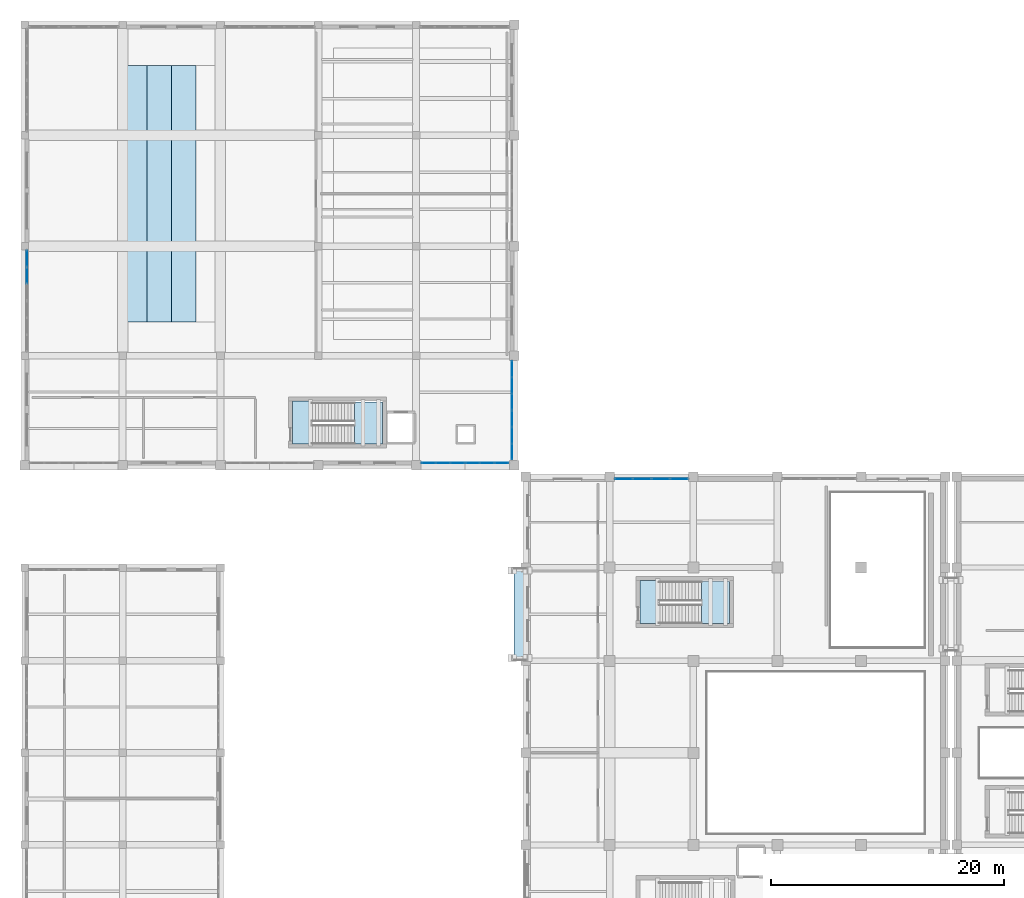
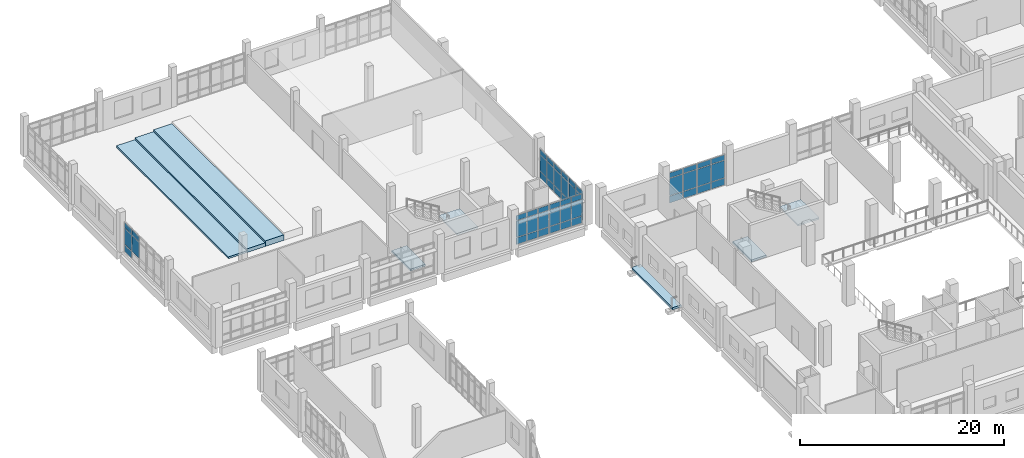
# One storey, part 55 of 90: 53 plates, 8 slabs, 9 elements without a shape of their own.
"""IFC4 building model written with IfcOpenShell, lengths in metres."""

import ifcopenshell
import ifcopenshell.guid

model = None  # the IFC model being written
_history = None  # IfcOwnerHistory: only IFC2X3 demands one
_inside = {}  # id of a spatial element -> (the spatial element, [elements in it])
_under = {}  # id of a project, library or spatial element -> (it, [spatial elements below it])
_declared = {}  # id of a project -> (the project, [libraries it declares])
_typed = {}  # id of a type object -> (the type object, [elements of that type])
_made_of = {}  # id of a material, layer set ... -> (it, [elements and type objects made of it])


def new_model(schema):
    """Start an empty IFC model of exactly this schema.

    Asked for "IFC4X3", IfcOpenShell would pick the latest addendum, in which some entities
    have other attributes; the version numbers below select the first issue.
    IFC2X3 requires an IfcOwnerHistory on every rooted entity: one is made here for all.
    """
    global model, _history
    if schema == "IFC4X3":
        model = ifcopenshell.file(schema_version=(4, 3, 0, 0))
    else:
        model = ifcopenshell.file(schema=schema)
    _inside.clear()
    _under.clear()
    _declared.clear()
    _typed.clear()
    _made_of.clear()
    _history = None
    if model.schema == "IFC2X3":
        org = make("IfcOrganization", Name="unknown")
        user = make(
            "IfcPersonAndOrganization",
            ThePerson=make("IfcPerson", FamilyName="unknown"),
            TheOrganization=org,
        )
        app = make(
            "IfcApplication",
            ApplicationDeveloper=org,
            Version="unknown",
            ApplicationFullName="unknown",
            ApplicationIdentifier="unknown",
        )
        _history = make(
            "IfcOwnerHistory",
            OwningUser=user,
            OwningApplication=app,
            ChangeAction="ADDED",
            CreationDate=0,
        )
    return model


def make(cls, **values):
    """One entity of the class cls with the attributes given. An attribute that is None is left unset."""
    return model.create_entity(
        cls, **{name: value for name, value in values.items() if value is not None}
    )


def rooted(cls, **values):
    """An entity with a GlobalId (a new one), such as an element, a storey or a relation."""
    return make(cls, GlobalId=ifcopenshell.guid.new(), OwnerHistory=_history, **values)


def si_unit(unit_type, name, prefix=None):
    """IfcSIUnit, for example si_unit("LENGTHUNIT", "METRE", prefix="MILLI")."""
    return make("IfcSIUnit", UnitType=unit_type, Prefix=prefix, Name=name)


def assignment(units):
    """IfcUnitAssignment: the units of a project."""
    return None if units is None else make("IfcUnitAssignment", Units=units)


def point(xyz):
    """IfcCartesianPoint."""
    return None if xyz is None else make("IfcCartesianPoint", Coordinates=xyz)


def direction(xyz):
    """IfcDirection."""
    return None if xyz is None else make("IfcDirection", DirectionRatios=xyz)


def frame(location, z_axis=None, x_axis=None):
    """IfcAxis2Placement3D, a coordinate frame: its origin and axes. An axis left out is left unset."""
    return make(
        "IfcAxis2Placement3D",
        Location=point(location),
        Axis=direction(z_axis),
        RefDirection=direction(x_axis),
    )


def frame_2d(location, x_axis=None):
    """IfcAxis2Placement2D, a coordinate frame in the plane: its origin and x axis."""
    return make(
        "IfcAxis2Placement2D", Location=point(location), RefDirection=direction(x_axis)
    )


def origin():
    """The frame at (0, 0, 0) with its axes left unset."""
    return frame((0.0, 0.0, 0.0))


def origin_2d():
    """The frame at (0, 0) in the plane with its x axis left unset."""
    return frame_2d((0.0, 0.0))


def place(relative_to, where):
    """IfcLocalPlacement: puts the frame where relative to a parent placement (None: the world)."""
    return make(
        "IfcLocalPlacement", PlacementRelTo=relative_to, RelativePlacement=where
    )


def context(
    kind, dimensions, precision=None, world=None, true_north=None, identifier=None
):
    """IfcGeometricRepresentationContext, for example the 3D "Model" context."""
    return make(
        "IfcGeometricRepresentationContext",
        ContextIdentifier=identifier,
        ContextType=kind,
        CoordinateSpaceDimension=dimensions,
        Precision=precision,
        WorldCoordinateSystem=world,
        TrueNorth=true_north,
    )


def subcontext(parent, identifier, kind, view, scale=None):
    """IfcGeometricRepresentationSubContext, for example "Body" below "Model"."""
    return make(
        "IfcGeometricRepresentationSubContext",
        ContextIdentifier=identifier,
        ContextType=kind,
        ParentContext=parent,
        TargetScale=scale,
        TargetView=view,
    )


def project(units=None, contexts=None):
    """IfcProject with its units and contexts."""
    return rooted(
        "IfcProject",
        Name="project",
        RepresentationContexts=contexts,
        UnitsInContext=assignment(units),
    )


def spatial(cls, under=None, at=None, **own):
    """A site, building, storey or space (cls), placed at a placement, below another one or the project."""
    s = rooted(cls, ObjectPlacement=at, **own)
    if under is not None:
        _under.setdefault(under.id(), (under, []))[1].append(s)
    return s


def polyline(points):
    """IfcPolyline through the points."""
    return make("IfcPolyline", Points=[point(p) for p in points])


def profile(cls, at=None, kind="AREA", **sizes):
    """A parametric profile (cls). Its sizes go by their IFC names, for example OverallWidth=200.0."""
    return make(cls, ProfileType=kind, Position=at, **sizes)


def rectangle(**sizes):
    """IfcRectangleProfileDef."""
    return profile("IfcRectangleProfileDef", **sizes)


def outline(outer, holes=None, kind="AREA"):
    """IfcArbitraryClosedProfileDef: a profile drawn as a closed curve; with holes, ...WithVoids."""
    if holes is None:
        return make("IfcArbitraryClosedProfileDef", ProfileType=kind, OuterCurve=outer)
    return make(
        "IfcArbitraryProfileDefWithVoids",
        ProfileType=kind,
        OuterCurve=outer,
        InnerCurves=holes,
    )


def extrude(swept, where, along, depth):
    """IfcExtrudedAreaSolid: the profile swept, set in the frame where, extruded along a direction by depth."""
    return make(
        "IfcExtrudedAreaSolid",
        SweptArea=swept,
        Position=where,
        ExtrudedDirection=direction(along),
        Depth=depth,
    )


def shape(context_of_items, identifier, shape_type, items):
    """IfcShapeRepresentation: the items that make up one representation, for example the "Body"."""
    return make(
        "IfcShapeRepresentation",
        ContextOfItems=context_of_items,
        RepresentationIdentifier=identifier,
        RepresentationType=shape_type,
        Items=items,
    )


def material(Name=None, Category=None):
    """IfcMaterial."""
    return make("IfcMaterial", Name=Name, Category=Category)


def layer(
    of_material, thickness, ventilated=None, Name=None, Category=None, Priority=None
):
    """IfcMaterialLayer: one layer of a wall or slab, of a material (None: an air gap)."""
    return make(
        "IfcMaterialLayer",
        Material=of_material,
        LayerThickness=thickness,
        IsVentilated=ventilated,
        Name=Name,
        Category=Category,
        Priority=Priority,
    )


def layer_set(layers, Name=None):
    """IfcMaterialLayerSet."""
    return make("IfcMaterialLayerSet", MaterialLayers=layers, LayerSetName=Name)


def made_of(thing, what):
    """Note that an element or type object is made of a material, layer set ...; save() writes the relation."""
    if what is not None:
        _made_of.setdefault(what.id(), (what, []))[1].append(thing)
    return thing


def type_object(cls, material=None, **own):
    """A type object (cls), such as IfcWallType, which elements share."""
    return made_of(rooted(cls, **own), material)


def element(
    cls,
    number,
    at=None,
    inside=None,
    cuts=None,
    type_object=None,
    material=None,
    context=None,
    identifier="Body",
    shape_type=None,
    held_by="IfcProductDefinitionShape",
    body=None,
    shapes=None,
    **own,
):
    """One element of the class cls, such as IfcWall. Its Tag is "e" and its number.

    at: its placement. inside: the storey or other place that contains it. cuts: it is an
    opening in that element (IfcRelVoidsElement). A single representation is given by context,
    identifier, shape_type and body (its items); several are given by shapes. held_by: the class
    of the entity that holds the representations. save() writes the other relations.
    """
    e = rooted(cls, Tag="e%d" % number, ObjectPlacement=at, **own)
    if body is not None:
        shapes = [shape(context, identifier, shape_type, body)]
    if shapes is not None:
        e.Representation = make(held_by, Representations=shapes)
    if inside is not None:
        _inside.setdefault(inside.id(), (inside, []))[1].append(e)
    if cuts is not None:
        rooted(
            "IfcRelVoidsElement", RelatingBuildingElement=cuts, RelatedOpeningElement=e
        )
    if type_object is not None:
        _typed.setdefault(type_object.id(), (type_object, []))[1].append(e)
    return made_of(e, material)


def aggregate(whole, parts):
    """IfcRelAggregates: a whole, such as a stair, and the parts it consists of."""
    return rooted("IfcRelAggregates", RelatingObject=whole, RelatedObjects=parts)


def save(model, path):
    """Write the relations noted so far, then the file.

    IfcRelAggregates (storeys below a building ...), IfcRelContainedInSpatialStructure (elements
    in a storey), IfcRelDefinesByType, IfcRelAssociatesMaterial and IfcRelDeclares: one each for
    every whole, place, type object, material and project.
    """
    for whole, parts in _under.values():
        aggregate(whole, parts)
    for where, things in _inside.values():
        rooted(
            "IfcRelContainedInSpatialStructure",
            RelatedElements=things,
            RelatingStructure=where,
        )
    for kind, things in _typed.values():
        rooted("IfcRelDefinesByType", RelatedObjects=things, RelatingType=kind)
    for what, things in _made_of.values():
        rooted("IfcRelAssociatesMaterial", RelatedObjects=things, RelatingMaterial=what)
    for by, libraries in _declared.values():
        rooted("IfcRelDeclares", RelatingContext=by, RelatedDefinitions=libraries)
    model.write(path)


model = new_model("IFC4")

# Units and contexts
model_context = context("Model", 3, precision=1e-05, world=origin(), true_north=direction((0.0, 1.0)))
body_context = subcontext(model_context, "Body", "Model", "MODEL_VIEW")
ifc_project = project(units=[si_unit("LENGTHUNIT", "METRE"), si_unit("AREAUNIT", "SQUARE_METRE"), si_unit("VOLUMEUNIT", "CUBIC_METRE"), si_unit("PLANEANGLEUNIT", "RADIAN"), si_unit("MASSUNIT", "GRAM", prefix="KILO")], contexts=[model_context])

# Site, building, storey
site_placement = place(None, origin())
site = spatial("IfcSite", under=ifc_project, at=site_placement, CompositionType="ELEMENT")
building_placement = place(site_placement, origin())
building = spatial("IfcBuilding", under=site, at=building_placement, Name="Kelarvand Opera House", CompositionType="ELEMENT")
storey_placement = place(building_placement, frame((0.0, 0.0, 5.39990234375)))
storey = spatial("IfcBuildingStorey", under=building, at=storey_placement, Name="L01", CompositionType="ELEMENT", Elevation=5.39990234375)

# Slabs
ifc_material_1 = material(Name="Concrete C35/45", Category="concrete")
ifc_layer_1 = layer(ifc_material_1, 0.219970703125, Name="Concrete C35/45", Category="concrete")
ifc_layer_set_1 = layer_set([ifc_layer_1], Name="Concrete C35/45")
slab_type_1 = type_object("IfcSlabType", Name="Core Stair Entry Landing Slab 220", PredefinedType="LANDING", material=ifc_layer_set_1)
slab_1_placement = place(storey_placement, frame((0.0, 0.0, -0.219970703125)))
element("IfcSlab", 1, at=slab_1_placement, inside=storey, type_object=slab_type_1, Name="C3 Stair Entry Landing L01", PredefinedType="LANDING", context=body_context, shape_type="SweptSolid", body=[
    extrude(outline(polyline([(61.800048828125, 73.60009765625), (63.52001953125, 73.60009765625), (63.52001953125, 77.300048828125), (61.800048828125, 77.300048828125), (61.800048828125, 73.60009765625)])), origin(), (0.0, 0.0, 1.0), 0.219970703125),
])
slab_2_placement = place(storey_placement, frame((0.0, 0.0, -0.219970703125)))
element("IfcSlab", 2, at=slab_2_placement, inside=storey, type_object=slab_type_1, Name="C5 Stair Entry Landing L01", PredefinedType="LANDING", context=body_context, shape_type="SweptSolid", body=[
    extrude(outline(polyline([(32.0, 89.0), (33.719970703125, 89.0), (33.719970703125, 92.699951171875), (32.0, 92.699951171875), (32.0, 89.0)])), origin(), (0.0, 0.0, 1.0), 0.219970703125),
])

# Curtain wall, plates
ifc_material_2 = material(Name="Thermally broken aluminium and low-E glazing", Category="aluminium")
ifc_layer_2 = layer(ifc_material_2, 0.179931640625, Name="Thermally broken aluminium and low-E glazing", Category="aluminium")
ifc_layer_set_2 = layer_set([ifc_layer_2], Name="Thermally broken aluminium and low-E glazing")
curtain_wall_type_1 = type_object("IfcCurtainWallType", Name="Unitised Low-E Curtain Wall 3176x3730 Mod 1350 CWF-10", PredefinedType="USERDEFINED", material=ifc_layer_set_2)
curtain_wall_1_placement = place(storey_placement, origin())
curtain_wall_1 = element("IfcCurtainWall", 3, at=curtain_wall_1_placement, inside=storey, type_object=curtain_wall_type_1, Name="V2 L01 Curtain Wall CWF-10 (31)", ObjectType="UNITISED CURTAIN WALL", PredefinedType="USERDEFINED")
ifc_material_3 = material(Name="Low-E laminated double glazing", Category="glass")
ifc_layer_3 = layer(ifc_material_3, 0.031982421875, Name="Low-E laminated double glazing", Category="glass")
ifc_layer_set_3 = layer_set([ifc_layer_3], Name="Low-E laminated double glazing")
plate_type = type_object("IfcPlateType", Name="Low-E Argon Double Glazed Curtain Panel 32mm", PredefinedType="CURTAIN_PANEL", material=ifc_layer_set_3)
plate_1_placement = place(storey_placement, frame((60.43017578125, 86.02001953125, 0.06494140625), z_axis=(0.0, 0.0, 1.0), x_axis=(1.0, 0.0, 0.0)))
plate_1 = element("IfcPlate", 4, at=plate_1_placement, type_object=plate_type, Name="CWF-10 panel 1.1", PredefinedType="CURTAIN_PANEL", context=body_context, shape_type="SweptSolid", body=[
    extrude(rectangle(XDim=1.490478515625, YDim=0.031982421875, at=origin_2d()), origin(), (0.0, 0.0, 1.0), 0.802490234375),
])
plate_2_placement = place(storey_placement, frame((60.43017578125, 86.02001953125, 0.9326171875), z_axis=(0.0, 0.0, 1.0), x_axis=(1.0, 0.0, 0.0)))
plate_2 = element("IfcPlate", 5, at=plate_2_placement, type_object=plate_type, Name="CWF-10 panel 1.2", PredefinedType="CURTAIN_PANEL", context=body_context, shape_type="SweptSolid", body=[
    extrude(rectangle(XDim=1.490478515625, YDim=0.031982421875, at=origin_2d()), origin(), (0.0, 0.0, 1.0), 2.06494140625),
])
plate_3_placement = place(storey_placement, frame((60.43017578125, 86.02001953125, 3.0625), z_axis=(0.0, 0.0, 1.0), x_axis=(1.0, 0.0, 0.0)))
plate_3 = element("IfcPlate", 6, at=plate_3_placement, type_object=plate_type, Name="CWF-10 panel 1.3", PredefinedType="CURTAIN_PANEL", context=body_context, shape_type="SweptSolid", body=[
    extrude(rectangle(XDim=1.490478515625, YDim=0.031982421875, at=origin_2d()), origin(), (0.0, 0.0, 1.0), 0.6025390625),
])
plate_4_placement = place(storey_placement, frame((61.98583984375, 86.02001953125, 0.06494140625), z_axis=(0.0, 0.0, 1.0), x_axis=(1.0, 0.0, 0.0)))
plate_4 = element("IfcPlate", 7, at=plate_4_placement, type_object=plate_type, Name="CWF-10 panel 2.1", PredefinedType="CURTAIN_PANEL", context=body_context, shape_type="SweptSolid", body=[
    extrude(rectangle(XDim=1.490478515625, YDim=0.031982421875, at=origin_2d()), origin(), (0.0, 0.0, 1.0), 0.802490234375),
])
plate_5_placement = place(storey_placement, frame((61.98583984375, 86.02001953125, 0.9326171875), z_axis=(0.0, 0.0, 1.0), x_axis=(1.0, 0.0, 0.0)))
plate_5 = element("IfcPlate", 8, at=plate_5_placement, type_object=plate_type, Name="CWF-10 panel 2.2", PredefinedType="CURTAIN_PANEL", context=body_context, shape_type="SweptSolid", body=[
    extrude(rectangle(XDim=1.490478515625, YDim=0.031982421875, at=origin_2d()), origin(), (0.0, 0.0, 1.0), 2.06494140625),
])
plate_6_placement = place(storey_placement, frame((61.98583984375, 86.02001953125, 3.0625), z_axis=(0.0, 0.0, 1.0), x_axis=(1.0, 0.0, 0.0)))
plate_6 = element("IfcPlate", 9, at=plate_6_placement, type_object=plate_type, Name="CWF-10 panel 2.3", PredefinedType="CURTAIN_PANEL", context=body_context, shape_type="SweptSolid", body=[
    extrude(rectangle(XDim=1.490478515625, YDim=0.031982421875, at=origin_2d()), origin(), (0.0, 0.0, 1.0), 0.6025390625),
])
aggregate(curtain_wall_1, [plate_1, plate_2, plate_3, plate_4, plate_5, plate_6])

curtain_wall_2_placement = place(storey_placement, origin())
curtain_wall_2 = element("IfcCurtainWall", 10, at=curtain_wall_2_placement, inside=storey, type_object=curtain_wall_type_1, Name="V2 L01 Curtain Wall CWF-10 (32)", ObjectType="UNITISED CURTAIN WALL", PredefinedType="USERDEFINED")
plate_7_placement = place(storey_placement, frame((63.611328125, 86.02001953125, 0.06494140625), z_axis=(0.0, 0.0, 1.0), x_axis=(1.0, 0.0, 0.0)))
plate_7 = element("IfcPlate", 11, at=plate_7_placement, type_object=plate_type, Name="CWF-10 panel 1.1", PredefinedType="CURTAIN_PANEL", context=body_context, shape_type="SweptSolid", body=[
    extrude(rectangle(XDim=1.492431640625, YDim=0.031982421875, at=origin_2d()), origin(), (0.0, 0.0, 1.0), 0.802490234375),
])
plate_8_placement = place(storey_placement, frame((63.611328125, 86.02001953125, 0.9326171875), z_axis=(0.0, 0.0, 1.0), x_axis=(1.0, 0.0, 0.0)))
plate_8 = element("IfcPlate", 12, at=plate_8_placement, type_object=plate_type, Name="CWF-10 panel 1.2", PredefinedType="CURTAIN_PANEL", context=body_context, shape_type="SweptSolid", body=[
    extrude(rectangle(XDim=1.492431640625, YDim=0.031982421875, at=origin_2d()), origin(), (0.0, 0.0, 1.0), 2.06494140625),
])
plate_9_placement = place(storey_placement, frame((63.611328125, 86.02001953125, 3.0625), z_axis=(0.0, 0.0, 1.0), x_axis=(1.0, 0.0, 0.0)))
plate_9 = element("IfcPlate", 13, at=plate_9_placement, type_object=plate_type, Name="CWF-10 panel 1.3", PredefinedType="CURTAIN_PANEL", context=body_context, shape_type="SweptSolid", body=[
    extrude(rectangle(XDim=1.492431640625, YDim=0.031982421875, at=origin_2d()), origin(), (0.0, 0.0, 1.0), 0.6025390625),
])
plate_10_placement = place(storey_placement, frame((65.168701171875, 86.02001953125, 0.06494140625), z_axis=(0.0, 0.0, 1.0), x_axis=(1.0, 0.0, 0.0)))
plate_10 = element("IfcPlate", 14, at=plate_10_placement, type_object=plate_type, Name="CWF-10 panel 2.1", PredefinedType="CURTAIN_PANEL", context=body_context, shape_type="SweptSolid", body=[
    extrude(rectangle(XDim=1.492431640625, YDim=0.031982421875, at=origin_2d()), origin(), (0.0, 0.0, 1.0), 0.802490234375),
])
plate_11_placement = place(storey_placement, frame((65.168701171875, 86.02001953125, 0.9326171875), z_axis=(0.0, 0.0, 1.0), x_axis=(1.0, 0.0, 0.0)))
plate_11 = element("IfcPlate", 15, at=plate_11_placement, type_object=plate_type, Name="CWF-10 panel 2.2", PredefinedType="CURTAIN_PANEL", context=body_context, shape_type="SweptSolid", body=[
    extrude(rectangle(XDim=1.492431640625, YDim=0.031982421875, at=origin_2d()), origin(), (0.0, 0.0, 1.0), 2.06494140625),
])
plate_12_placement = place(storey_placement, frame((65.168701171875, 86.02001953125, 3.0625), z_axis=(0.0, 0.0, 1.0), x_axis=(1.0, 0.0, 0.0)))
plate_12 = element("IfcPlate", 16, at=plate_12_placement, type_object=plate_type, Name="CWF-10 panel 2.3", PredefinedType="CURTAIN_PANEL", context=body_context, shape_type="SweptSolid", body=[
    extrude(rectangle(XDim=1.492431640625, YDim=0.031982421875, at=origin_2d()), origin(), (0.0, 0.0, 1.0), 0.6025390625),
])
aggregate(curtain_wall_2, [plate_7, plate_8, plate_9, plate_10, plate_11, plate_12])

ifc_layer_4 = layer(ifc_material_2, 0.179931640625, Name="Thermally broken aluminium and low-E glazing", Category="aluminium")
ifc_layer_set_4 = layer_set([ifc_layer_4], Name="Thermally broken aluminium and low-E glazing")
curtain_wall_type_2 = type_object("IfcCurtainWallType", Name="Unitised Low-E Curtain Wall 4276x3600 Mod 1350 CWF-16", PredefinedType="USERDEFINED", material=ifc_layer_set_4)
curtain_wall_3_placement = place(storey_placement, origin())
curtain_wall_3 = element("IfcCurtainWall", 17, at=curtain_wall_3_placement, inside=storey, type_object=curtain_wall_type_2, Name="V3 L01 Curtain Wall CWF-16 (49)", ObjectType="UNITISED CURTAIN WALL", PredefinedType="USERDEFINED")
plate_13_placement = place(storey_placement, frame((50.820068359375, 95.451171875, 0.06494140625), z_axis=(0.0, 0.0, 1.0), x_axis=(0.0, -1.0, 0.0)))
plate_13 = element("IfcPlate", 18, at=plate_13_placement, type_object=plate_type, Name="CWF-16 panel 1.1", PredefinedType="CURTAIN_PANEL", context=body_context, shape_type="SweptSolid", body=[
    extrude(rectangle(XDim=1.327880859375, YDim=0.031982421875, at=origin_2d()), origin(), (0.0, 0.0, 1.0), 0.802490234375),
])
plate_14_placement = place(storey_placement, frame((50.820068359375, 95.451171875, 0.9326171875), z_axis=(0.0, 0.0, 1.0), x_axis=(0.0, -1.0, 0.0)))
plate_14 = element("IfcPlate", 19, at=plate_14_placement, type_object=plate_type, Name="CWF-16 panel 1.2", PredefinedType="CURTAIN_PANEL", context=body_context, shape_type="SweptSolid", body=[
    extrude(rectangle(XDim=1.327880859375, YDim=0.031982421875, at=origin_2d()), origin(), (0.0, 0.0, 1.0), 1.93505859375),
])
plate_15_placement = place(storey_placement, frame((50.820068359375, 95.451171875, 2.9326171875), z_axis=(0.0, 0.0, 1.0), x_axis=(0.0, -1.0, 0.0)))
plate_15 = element("IfcPlate", 20, at=plate_15_placement, type_object=plate_type, Name="CWF-16 panel 1.3", PredefinedType="CURTAIN_PANEL", context=body_context, shape_type="SweptSolid", body=[
    extrude(rectangle(XDim=1.327880859375, YDim=0.031982421875, at=origin_2d()), origin(), (0.0, 0.0, 1.0), 0.6025390625),
])
plate_16_placement = place(storey_placement, frame((50.820068359375, 94.0419921875, 0.06494140625), z_axis=(0.0, 0.0, 1.0), x_axis=(0.0, -1.0, 0.0)))
plate_16 = element("IfcPlate", 21, at=plate_16_placement, type_object=plate_type, Name="CWF-16 panel 2.1", PredefinedType="CURTAIN_PANEL", context=body_context, shape_type="SweptSolid", body=[
    extrude(rectangle(XDim=1.3603515625, YDim=0.031982421875, at=origin_2d()), origin(), (0.0, 0.0, 1.0), 0.802490234375),
])
plate_17_placement = place(storey_placement, frame((50.820068359375, 94.0419921875, 0.9326171875), z_axis=(0.0, 0.0, 1.0), x_axis=(0.0, -1.0, 0.0)))
plate_17 = element("IfcPlate", 22, at=plate_17_placement, type_object=plate_type, Name="CWF-16 panel 2.2", PredefinedType="CURTAIN_PANEL", context=body_context, shape_type="SweptSolid", body=[
    extrude(rectangle(XDim=1.3603515625, YDim=0.031982421875, at=origin_2d()), origin(), (0.0, 0.0, 1.0), 1.93505859375),
])
plate_18_placement = place(storey_placement, frame((50.820068359375, 94.0419921875, 2.9326171875), z_axis=(0.0, 0.0, 1.0), x_axis=(0.0, -1.0, 0.0)))
plate_18 = element("IfcPlate", 23, at=plate_18_placement, type_object=plate_type, Name="CWF-16 panel 2.3", PredefinedType="CURTAIN_PANEL", context=body_context, shape_type="SweptSolid", body=[
    extrude(rectangle(XDim=1.3603515625, YDim=0.031982421875, at=origin_2d()), origin(), (0.0, 0.0, 1.0), 0.6025390625),
])
plate_19_placement = place(storey_placement, frame((50.820068359375, 92.6328125, 0.06494140625), z_axis=(0.0, 0.0, 1.0), x_axis=(0.0, -1.0, 0.0)))
plate_19 = element("IfcPlate", 24, at=plate_19_placement, type_object=plate_type, Name="CWF-16 panel 3.1", PredefinedType="CURTAIN_PANEL", context=body_context, shape_type="SweptSolid", body=[
    extrude(rectangle(XDim=1.327880859375, YDim=0.031982421875, at=origin_2d()), origin(), (0.0, 0.0, 1.0), 0.802490234375),
])
plate_20_placement = place(storey_placement, frame((50.820068359375, 92.6328125, 0.9326171875), z_axis=(0.0, 0.0, 1.0), x_axis=(0.0, -1.0, 0.0)))
plate_20 = element("IfcPlate", 25, at=plate_20_placement, type_object=plate_type, Name="CWF-16 panel 3.2", PredefinedType="CURTAIN_PANEL", context=body_context, shape_type="SweptSolid", body=[
    extrude(rectangle(XDim=1.327880859375, YDim=0.031982421875, at=origin_2d()), origin(), (0.0, 0.0, 1.0), 1.93505859375),
])
plate_21_placement = place(storey_placement, frame((50.820068359375, 92.6328125, 2.9326171875), z_axis=(0.0, 0.0, 1.0), x_axis=(0.0, -1.0, 0.0)))
plate_21 = element("IfcPlate", 26, at=plate_21_placement, type_object=plate_type, Name="CWF-16 panel 3.3", PredefinedType="CURTAIN_PANEL", context=body_context, shape_type="SweptSolid", body=[
    extrude(rectangle(XDim=1.327880859375, YDim=0.031982421875, at=origin_2d()), origin(), (0.0, 0.0, 1.0), 0.6025390625),
])
aggregate(curtain_wall_3, [plate_13, plate_14, plate_15, plate_16, plate_17, plate_18, plate_19, plate_20, plate_21])

curtain_wall_4_placement = place(storey_placement, origin())
curtain_wall_4 = element("IfcCurtainWall", 27, at=curtain_wall_4_placement, inside=storey, type_object=curtain_wall_type_2, Name="V3 L01 Curtain Wall CWF-16 (50)", ObjectType="UNITISED CURTAIN WALL", PredefinedType="USERDEFINED")
plate_22_placement = place(storey_placement, frame((50.820068359375, 91.17041015625, 0.06494140625), z_axis=(0.0, 0.0, 1.0), x_axis=(0.0, -1.0, 0.0)))
plate_22 = element("IfcPlate", 28, at=plate_22_placement, type_object=plate_type, Name="CWF-16 panel 1.1", PredefinedType="CURTAIN_PANEL", context=body_context, shape_type="SweptSolid", body=[
    extrude(rectangle(XDim=1.3291015625, YDim=0.031982421875, at=origin_2d()), origin(), (0.0, 0.0, 1.0), 0.802490234375),
])
plate_23_placement = place(storey_placement, frame((50.820068359375, 91.17041015625, 0.9326171875), z_axis=(0.0, 0.0, 1.0), x_axis=(0.0, -1.0, 0.0)))
plate_23 = element("IfcPlate", 29, at=plate_23_placement, type_object=plate_type, Name="CWF-16 panel 1.2", PredefinedType="CURTAIN_PANEL", context=body_context, shape_type="SweptSolid", body=[
    extrude(rectangle(XDim=1.3291015625, YDim=0.031982421875, at=origin_2d()), origin(), (0.0, 0.0, 1.0), 1.93505859375),
])
plate_24_placement = place(storey_placement, frame((50.820068359375, 91.17041015625, 2.9326171875), z_axis=(0.0, 0.0, 1.0), x_axis=(0.0, -1.0, 0.0)))
plate_24 = element("IfcPlate", 30, at=plate_24_placement, type_object=plate_type, Name="CWF-16 panel 1.3", PredefinedType="CURTAIN_PANEL", context=body_context, shape_type="SweptSolid", body=[
    extrude(rectangle(XDim=1.3291015625, YDim=0.031982421875, at=origin_2d()), origin(), (0.0, 0.0, 1.0), 0.6025390625),
])
plate_25_placement = place(storey_placement, frame((50.820068359375, 89.760009765625, 0.06494140625), z_axis=(0.0, 0.0, 1.0), x_axis=(0.0, -1.0, 0.0)))
plate_25 = element("IfcPlate", 31, at=plate_25_placement, type_object=plate_type, Name="CWF-16 panel 2.1", PredefinedType="CURTAIN_PANEL", context=body_context, shape_type="SweptSolid", body=[
    extrude(rectangle(XDim=1.361572265625, YDim=0.031982421875, at=origin_2d()), origin(), (0.0, 0.0, 1.0), 0.802490234375),
])
plate_26_placement = place(storey_placement, frame((50.820068359375, 89.760009765625, 0.9326171875), z_axis=(0.0, 0.0, 1.0), x_axis=(0.0, -1.0, 0.0)))
plate_26 = element("IfcPlate", 32, at=plate_26_placement, type_object=plate_type, Name="CWF-16 panel 2.2", PredefinedType="CURTAIN_PANEL", context=body_context, shape_type="SweptSolid", body=[
    extrude(rectangle(XDim=1.361572265625, YDim=0.031982421875, at=origin_2d()), origin(), (0.0, 0.0, 1.0), 1.93505859375),
])
plate_27_placement = place(storey_placement, frame((50.820068359375, 89.760009765625, 2.9326171875), z_axis=(0.0, 0.0, 1.0), x_axis=(0.0, -1.0, 0.0)))
plate_27 = element("IfcPlate", 33, at=plate_27_placement, type_object=plate_type, Name="CWF-16 panel 2.3", PredefinedType="CURTAIN_PANEL", context=body_context, shape_type="SweptSolid", body=[
    extrude(rectangle(XDim=1.361572265625, YDim=0.031982421875, at=origin_2d()), origin(), (0.0, 0.0, 1.0), 0.6025390625),
])
plate_28_placement = place(storey_placement, frame((50.820068359375, 88.349609375, 0.06494140625), z_axis=(0.0, 0.0, 1.0), x_axis=(0.0, -1.0, 0.0)))
plate_28 = element("IfcPlate", 34, at=plate_28_placement, type_object=plate_type, Name="CWF-16 panel 3.1", PredefinedType="CURTAIN_PANEL", context=body_context, shape_type="SweptSolid", body=[
    extrude(rectangle(XDim=1.3291015625, YDim=0.031982421875, at=origin_2d()), origin(), (0.0, 0.0, 1.0), 0.802490234375),
])
plate_29_placement = place(storey_placement, frame((50.820068359375, 88.349609375, 0.9326171875), z_axis=(0.0, 0.0, 1.0), x_axis=(0.0, -1.0, 0.0)))
plate_29 = element("IfcPlate", 35, at=plate_29_placement, type_object=plate_type, Name="CWF-16 panel 3.2", PredefinedType="CURTAIN_PANEL", context=body_context, shape_type="SweptSolid", body=[
    extrude(rectangle(XDim=1.3291015625, YDim=0.031982421875, at=origin_2d()), origin(), (0.0, 0.0, 1.0), 1.93505859375),
])
plate_30_placement = place(storey_placement, frame((50.820068359375, 88.349609375, 2.9326171875), z_axis=(0.0, 0.0, 1.0), x_axis=(0.0, -1.0, 0.0)))
plate_30 = element("IfcPlate", 36, at=plate_30_placement, type_object=plate_type, Name="CWF-16 panel 3.3", PredefinedType="CURTAIN_PANEL", context=body_context, shape_type="SweptSolid", body=[
    extrude(rectangle(XDim=1.3291015625, YDim=0.031982421875, at=origin_2d()), origin(), (0.0, 0.0, 1.0), 0.6025390625),
])
aggregate(curtain_wall_4, [plate_22, plate_23, plate_24, plate_25, plate_26, plate_27, plate_28, plate_29, plate_30])

ifc_layer_5 = layer(ifc_material_2, 0.179931640625, Name="Thermally broken aluminium and low-E glazing", Category="aluminium")
ifc_layer_set_5 = layer_set([ifc_layer_5], Name="Thermally broken aluminium and low-E glazing")
curtain_wall_type_3 = type_object("IfcCurtainWallType", Name="Unitised Low-E Curtain Wall 4326x3600 Mod 1350 CWF-15", PredefinedType="USERDEFINED", material=ifc_layer_set_5)
curtain_wall_5_placement = place(storey_placement, origin())
curtain_wall_5 = element("IfcCurtainWall", 37, at=curtain_wall_5_placement, inside=storey, type_object=curtain_wall_type_3, Name="V3 L01 Curtain Wall CWF-15 (58)", ObjectType="UNITISED CURTAIN WALL", PredefinedType="USERDEFINED")
plate_31_placement = place(storey_placement, frame((9.179931640625, 103.482421875, 0.9326171875), z_axis=(0.0, 0.0, 1.0), x_axis=(0.0, 1.0, 0.0)))
plate_31 = element("IfcPlate", 38, at=plate_31_placement, type_object=plate_type, Name="CWF-15 panel 2.2", PredefinedType="CURTAIN_PANEL", context=body_context, shape_type="SweptSolid", body=[
    extrude(rectangle(XDim=1.389892578125, YDim=0.031982421875, at=origin_2d()), origin(), (0.0, 0.0, 1.0), 1.93505859375),
])
plate_32_placement = place(storey_placement, frame((9.179931640625, 103.482421875, 2.9326171875), z_axis=(0.0, 0.0, 1.0), x_axis=(0.0, 1.0, 0.0)))
plate_32 = element("IfcPlate", 39, at=plate_32_placement, type_object=plate_type, Name="CWF-15 panel 2.3", PredefinedType="CURTAIN_PANEL", context=body_context, shape_type="SweptSolid", body=[
    extrude(rectangle(XDim=1.389892578125, YDim=0.031982421875, at=origin_2d()), origin(), (0.0, 0.0, 1.0), 0.6025390625),
])
plate_33_placement = place(storey_placement, frame((9.179931640625, 104.921142578125, 0.06494140625), z_axis=(0.0, 0.0, 1.0), x_axis=(0.0, 1.0, 0.0)))
plate_33 = element("IfcPlate", 40, at=plate_33_placement, type_object=plate_type, Name="CWF-15 panel 3.1", PredefinedType="CURTAIN_PANEL", context=body_context, shape_type="SweptSolid", body=[
    extrude(rectangle(XDim=1.357421875, YDim=0.031982421875, at=origin_2d()), origin(), (0.0, 0.0, 1.0), 0.802490234375),
])
plate_34_placement = place(storey_placement, frame((9.179931640625, 104.921142578125, 0.9326171875), z_axis=(0.0, 0.0, 1.0), x_axis=(0.0, 1.0, 0.0)))
plate_34 = element("IfcPlate", 41, at=plate_34_placement, type_object=plate_type, Name="CWF-15 panel 3.2", PredefinedType="CURTAIN_PANEL", context=body_context, shape_type="SweptSolid", body=[
    extrude(rectangle(XDim=1.357421875, YDim=0.031982421875, at=origin_2d()), origin(), (0.0, 0.0, 1.0), 1.93505859375),
])
plate_35_placement = place(storey_placement, frame((9.179931640625, 104.921142578125, 2.9326171875), z_axis=(0.0, 0.0, 1.0), x_axis=(0.0, 1.0, 0.0)))
plate_35 = element("IfcPlate", 42, at=plate_35_placement, type_object=plate_type, Name="CWF-15 panel 3.3", PredefinedType="CURTAIN_PANEL", context=body_context, shape_type="SweptSolid", body=[
    extrude(rectangle(XDim=1.357421875, YDim=0.031982421875, at=origin_2d()), origin(), (0.0, 0.0, 1.0), 0.6025390625),
])
aggregate(curtain_wall_5, [plate_31, plate_32, plate_33, plate_34, plate_35])

ifc_layer_6 = layer(ifc_material_2, 0.179931640625, Name="Thermally broken aluminium and low-E glazing", Category="aluminium")
ifc_layer_set_6 = layer_set([ifc_layer_6], Name="Thermally broken aluminium and low-E glazing")
curtain_wall_type_4 = type_object("IfcCurtainWallType", Name="Unitised Low-E Curtain Wall 3818x3600 Mod 1350 CWF-18", PredefinedType="USERDEFINED", material=ifc_layer_set_6)
curtain_wall_6_placement = place(storey_placement, origin())
curtain_wall_6 = element("IfcCurtainWall", 43, at=curtain_wall_6_placement, inside=storey, type_object=curtain_wall_type_4, Name="V3 L01 Curtain Wall CWF-18 (61)", ObjectType="UNITISED CURTAIN WALL", PredefinedType="USERDEFINED")
plate_36_placement = place(storey_placement, frame((49.934326171875, 87.3798828125, 0.06494140625), z_axis=(0.0, 0.0, 1.0), x_axis=(-1.0, 0.0, 0.0)))
plate_36 = element("IfcPlate", 44, at=plate_36_placement, type_object=plate_type, Name="CWF-18 panel 1.1", PredefinedType="CURTAIN_PANEL", context=body_context, shape_type="SweptSolid", body=[
    extrude(rectangle(XDim=1.1611328125, YDim=0.031982421875, at=origin_2d()), origin(), (0.0, 0.0, 1.0), 0.802490234375),
])
plate_37_placement = place(storey_placement, frame((49.934326171875, 87.3798828125, 0.9326171875), z_axis=(0.0, 0.0, 1.0), x_axis=(-1.0, 0.0, 0.0)))
plate_37 = element("IfcPlate", 45, at=plate_37_placement, type_object=plate_type, Name="CWF-18 panel 1.2", PredefinedType="CURTAIN_PANEL", context=body_context, shape_type="SweptSolid", body=[
    extrude(rectangle(XDim=1.1611328125, YDim=0.031982421875, at=origin_2d()), origin(), (0.0, 0.0, 1.0), 1.93505859375),
])
plate_38_placement = place(storey_placement, frame((49.934326171875, 87.3798828125, 2.9326171875), z_axis=(0.0, 0.0, 1.0), x_axis=(-1.0, 0.0, 0.0)))
plate_38 = element("IfcPlate", 46, at=plate_38_placement, type_object=plate_type, Name="CWF-18 panel 1.3", PredefinedType="CURTAIN_PANEL", context=body_context, shape_type="SweptSolid", body=[
    extrude(rectangle(XDim=1.1611328125, YDim=0.031982421875, at=origin_2d()), origin(), (0.0, 0.0, 1.0), 0.6025390625),
])
plate_39_placement = place(storey_placement, frame((48.69189453125, 87.3798828125, 0.06494140625), z_axis=(0.0, 0.0, 1.0), x_axis=(-1.0, 0.0, 0.0)))
plate_39 = element("IfcPlate", 47, at=plate_39_placement, type_object=plate_type, Name="CWF-18 panel 2.1", PredefinedType="CURTAIN_PANEL", context=body_context, shape_type="SweptSolid", body=[
    extrude(rectangle(XDim=1.193603515625, YDim=0.031982421875, at=origin_2d()), origin(), (0.0, 0.0, 1.0), 0.802490234375),
])
plate_40_placement = place(storey_placement, frame((48.69189453125, 87.3798828125, 0.9326171875), z_axis=(0.0, 0.0, 1.0), x_axis=(-1.0, 0.0, 0.0)))
plate_40 = element("IfcPlate", 48, at=plate_40_placement, type_object=plate_type, Name="CWF-18 panel 2.2", PredefinedType="CURTAIN_PANEL", context=body_context, shape_type="SweptSolid", body=[
    extrude(rectangle(XDim=1.193603515625, YDim=0.031982421875, at=origin_2d()), origin(), (0.0, 0.0, 1.0), 1.93505859375),
])
plate_41_placement = place(storey_placement, frame((48.69189453125, 87.3798828125, 2.9326171875), z_axis=(0.0, 0.0, 1.0), x_axis=(-1.0, 0.0, 0.0)))
plate_41 = element("IfcPlate", 49, at=plate_41_placement, type_object=plate_type, Name="CWF-18 panel 2.3", PredefinedType="CURTAIN_PANEL", context=body_context, shape_type="SweptSolid", body=[
    extrude(rectangle(XDim=1.193603515625, YDim=0.031982421875, at=origin_2d()), origin(), (0.0, 0.0, 1.0), 0.6025390625),
])
plate_42_placement = place(storey_placement, frame((47.449462890625, 87.3798828125, 0.06494140625), z_axis=(0.0, 0.0, 1.0), x_axis=(-1.0, 0.0, 0.0)))
plate_42 = element("IfcPlate", 50, at=plate_42_placement, type_object=plate_type, Name="CWF-18 panel 3.1", PredefinedType="CURTAIN_PANEL", context=body_context, shape_type="SweptSolid", body=[
    extrude(rectangle(XDim=1.1611328125, YDim=0.031982421875, at=origin_2d()), origin(), (0.0, 0.0, 1.0), 0.802490234375),
])
plate_43_placement = place(storey_placement, frame((47.449462890625, 87.3798828125, 0.9326171875), z_axis=(0.0, 0.0, 1.0), x_axis=(-1.0, 0.0, 0.0)))
plate_43 = element("IfcPlate", 51, at=plate_43_placement, type_object=plate_type, Name="CWF-18 panel 3.2", PredefinedType="CURTAIN_PANEL", context=body_context, shape_type="SweptSolid", body=[
    extrude(rectangle(XDim=1.1611328125, YDim=0.031982421875, at=origin_2d()), origin(), (0.0, 0.0, 1.0), 1.93505859375),
])
plate_44_placement = place(storey_placement, frame((47.449462890625, 87.3798828125, 2.9326171875), z_axis=(0.0, 0.0, 1.0), x_axis=(-1.0, 0.0, 0.0)))
plate_44 = element("IfcPlate", 52, at=plate_44_placement, type_object=plate_type, Name="CWF-18 panel 3.3", PredefinedType="CURTAIN_PANEL", context=body_context, shape_type="SweptSolid", body=[
    extrude(rectangle(XDim=1.1611328125, YDim=0.031982421875, at=origin_2d()), origin(), (0.0, 0.0, 1.0), 0.6025390625),
])
aggregate(curtain_wall_6, [plate_36, plate_37, plate_38, plate_39, plate_40, plate_41, plate_42, plate_43, plate_44])

curtain_wall_7_placement = place(storey_placement, origin())
curtain_wall_7 = element("IfcCurtainWall", 53, at=curtain_wall_7_placement, inside=storey, type_object=curtain_wall_type_4, Name="V3 L01 Curtain Wall CWF-18 (62)", ObjectType="UNITISED CURTAIN WALL", PredefinedType="USERDEFINED")
plate_45_placement = place(storey_placement, frame((46.15380859375, 87.3798828125, 0.06494140625), z_axis=(0.0, 0.0, 1.0), x_axis=(-1.0, 0.0, 0.0)))
plate_45 = element("IfcPlate", 54, at=plate_45_placement, type_object=plate_type, Name="CWF-18 panel 1.1", PredefinedType="CURTAIN_PANEL", context=body_context, shape_type="SweptSolid", body=[
    extrude(rectangle(XDim=1.16259765625, YDim=0.031982421875, at=origin_2d()), origin(), (0.0, 0.0, 1.0), 0.802490234375),
])
plate_46_placement = place(storey_placement, frame((46.15380859375, 87.3798828125, 0.9326171875), z_axis=(0.0, 0.0, 1.0), x_axis=(-1.0, 0.0, 0.0)))
plate_46 = element("IfcPlate", 55, at=plate_46_placement, type_object=plate_type, Name="CWF-18 panel 1.2", PredefinedType="CURTAIN_PANEL", context=body_context, shape_type="SweptSolid", body=[
    extrude(rectangle(XDim=1.16259765625, YDim=0.031982421875, at=origin_2d()), origin(), (0.0, 0.0, 1.0), 1.93505859375),
])
plate_47_placement = place(storey_placement, frame((46.15380859375, 87.3798828125, 2.9326171875), z_axis=(0.0, 0.0, 1.0), x_axis=(-1.0, 0.0, 0.0)))
plate_47 = element("IfcPlate", 56, at=plate_47_placement, type_object=plate_type, Name="CWF-18 panel 1.3", PredefinedType="CURTAIN_PANEL", context=body_context, shape_type="SweptSolid", body=[
    extrude(rectangle(XDim=1.16259765625, YDim=0.031982421875, at=origin_2d()), origin(), (0.0, 0.0, 1.0), 0.6025390625),
])
plate_48_placement = place(storey_placement, frame((44.909912109375, 87.3798828125, 0.06494140625), z_axis=(0.0, 0.0, 1.0), x_axis=(-1.0, 0.0, 0.0)))
plate_48 = element("IfcPlate", 57, at=plate_48_placement, type_object=plate_type, Name="CWF-18 panel 2.1", PredefinedType="CURTAIN_PANEL", context=body_context, shape_type="SweptSolid", body=[
    extrude(rectangle(XDim=1.195068359375, YDim=0.031982421875, at=origin_2d()), origin(), (0.0, 0.0, 1.0), 0.802490234375),
])
plate_49_placement = place(storey_placement, frame((44.909912109375, 87.3798828125, 0.9326171875), z_axis=(0.0, 0.0, 1.0), x_axis=(-1.0, 0.0, 0.0)))
plate_49 = element("IfcPlate", 58, at=plate_49_placement, type_object=plate_type, Name="CWF-18 panel 2.2", PredefinedType="CURTAIN_PANEL", context=body_context, shape_type="SweptSolid", body=[
    extrude(rectangle(XDim=1.195068359375, YDim=0.031982421875, at=origin_2d()), origin(), (0.0, 0.0, 1.0), 1.93505859375),
])
plate_50_placement = place(storey_placement, frame((44.909912109375, 87.3798828125, 2.9326171875), z_axis=(0.0, 0.0, 1.0), x_axis=(-1.0, 0.0, 0.0)))
plate_50 = element("IfcPlate", 59, at=plate_50_placement, type_object=plate_type, Name="CWF-18 panel 2.3", PredefinedType="CURTAIN_PANEL", context=body_context, shape_type="SweptSolid", body=[
    extrude(rectangle(XDim=1.195068359375, YDim=0.031982421875, at=origin_2d()), origin(), (0.0, 0.0, 1.0), 0.6025390625),
])
plate_51_placement = place(storey_placement, frame((43.666259765625, 87.3798828125, 0.06494140625), z_axis=(0.0, 0.0, 1.0), x_axis=(-1.0, 0.0, 0.0)))
plate_51 = element("IfcPlate", 60, at=plate_51_placement, type_object=plate_type, Name="CWF-18 panel 3.1", PredefinedType="CURTAIN_PANEL", context=body_context, shape_type="SweptSolid", body=[
    extrude(rectangle(XDim=1.16259765625, YDim=0.031982421875, at=origin_2d()), origin(), (0.0, 0.0, 1.0), 0.802490234375),
])
plate_52_placement = place(storey_placement, frame((43.666259765625, 87.3798828125, 0.9326171875), z_axis=(0.0, 0.0, 1.0), x_axis=(-1.0, 0.0, 0.0)))
plate_52 = element("IfcPlate", 61, at=plate_52_placement, type_object=plate_type, Name="CWF-18 panel 3.2", PredefinedType="CURTAIN_PANEL", context=body_context, shape_type="SweptSolid", body=[
    extrude(rectangle(XDim=1.16259765625, YDim=0.031982421875, at=origin_2d()), origin(), (0.0, 0.0, 1.0), 1.93505859375),
])
plate_53_placement = place(storey_placement, frame((43.666259765625, 87.3798828125, 2.9326171875), z_axis=(0.0, 0.0, 1.0), x_axis=(-1.0, 0.0, 0.0)))
plate_53 = element("IfcPlate", 62, at=plate_53_placement, type_object=plate_type, Name="CWF-18 panel 3.3", PredefinedType="CURTAIN_PANEL", context=body_context, shape_type="SweptSolid", body=[
    extrude(rectangle(XDim=1.16259765625, YDim=0.031982421875, at=origin_2d()), origin(), (0.0, 0.0, 1.0), 0.6025390625),
])
aggregate(curtain_wall_7, [plate_45, plate_46, plate_47, plate_48, plate_49, plate_50, plate_51, plate_52, plate_53])

# Stair, slab
stair_type = type_object("IfcStairType", Name="Dogleg Concrete Exit Stair 1660mm 28R STA-01", PredefinedType="HALF_TURN_STAIR", material=ifc_material_1)
stair_1_placement = place(storey_placement, origin())
stair_1 = element("IfcStair", 63, at=stair_1_placement, inside=storey, type_object=stair_type, Name="L01 Fly Tower North Technical Core C3 Stair ST-03", PredefinedType="HALF_TURN_STAIR")
ifc_layer_7 = layer(ifc_material_1, 0.199951171875, Name="Concrete C35/45", Category="concrete")
ifc_layer_set_7 = layer_set([ifc_layer_7], Name="Concrete C35/45")
slab_type_2 = type_object("IfcSlabType", Name="Precast Stair Half-Landing Slab 200", PredefinedType="LANDING", material=ifc_layer_set_7)
slab_3_placement = place(storey_placement, frame((0.0, 0.0, 2.2001953125)))
slab_3 = element("IfcSlab", 64, at=slab_3_placement, type_object=slab_type_2, Name="ST-03 landing 1", PredefinedType="LANDING", context=body_context, shape_type="SweptSolid", body=[
    extrude(outline(polyline([(67.10009765625, 73.60009765625), (69.5, 73.60009765625), (69.5, 77.199951171875), (67.10009765625, 77.199951171875), (67.10009765625, 73.60009765625)])), origin(), (0.0, 0.0, 1.0), 0.199951171875),
])
aggregate(stair_1, [slab_3])

stair_2_placement = place(storey_placement, origin())
stair_2 = element("IfcStair", 65, at=stair_2_placement, inside=storey, type_object=stair_type, Name="L01 Rehearsal Pavilion Core C5 Stair ST-05", PredefinedType="HALF_TURN_STAIR")
slab_4_placement = place(storey_placement, frame((0.0, 0.0, 2.2001953125)))
slab_4 = element("IfcSlab", 66, at=slab_4_placement, type_object=slab_type_2, Name="ST-05 landing 1", PredefinedType="LANDING", context=body_context, shape_type="SweptSolid", body=[
    extrude(outline(polyline([(37.300048828125, 89.0), (39.699951171875, 89.0), (39.699951171875, 92.60009765625), (37.300048828125, 92.60009765625), (37.300048828125, 89.0)])), origin(), (0.0, 0.0, 1.0), 0.199951171875),
])
aggregate(stair_2, [slab_4])

# Slabs
ifc_material_4 = material(Name="Precast concrete C40/50", Category="concrete")
ifc_layer_8 = layer(ifc_material_4, 0.199951171875, Name="Precast concrete C40/50", Category="concrete")
ifc_layer_set_8 = layer_set([ifc_layer_8], Name="Precast concrete C40/50")
slab_type_3 = type_object("IfcSlabType", Name="Precast Stepped Seating Tier 200", PredefinedType="USERDEFINED", material=ifc_layer_set_8)
slab_5_placement = place(storey_placement, origin())
element("IfcSlab", 67, at=slab_5_placement, inside=storey, type_object=slab_type_3, Name="V3 Stepped Seating Tier 1", ObjectType="SEATING TIER", PredefinedType="USERDEFINED", context=body_context, shape_type="SweptSolid", body=[
    extrude(outline(polyline([(17.39990234375, 99.5), (19.5, 99.5), (19.5, 121.5), (17.39990234375, 121.5), (17.39990234375, 99.5)])), origin(), (0.0, 0.0, 1.0), 0.22021484375),
])
slab_6_placement = place(storey_placement, origin())
element("IfcSlab", 68, at=slab_6_placement, inside=storey, type_object=slab_type_3, Name="V3 Stepped Seating Tier 2", ObjectType="SEATING TIER", PredefinedType="USERDEFINED", context=body_context, shape_type="SweptSolid", body=[
    extrude(outline(polyline([(19.5, 99.5), (21.60009765625, 99.5), (21.60009765625, 121.5), (19.5, 121.5), (19.5, 99.5)])), origin(), (0.0, 0.0, 1.0), 0.440185546875),
])
slab_7_placement = place(storey_placement, origin())
element("IfcSlab", 69, at=slab_7_placement, inside=storey, type_object=slab_type_3, Name="V3 Stepped Seating Tier 3", ObjectType="SEATING TIER", PredefinedType="USERDEFINED", context=body_context, shape_type="SweptSolid", body=[
    extrude(outline(polyline([(21.60009765625, 99.5), (23.699951171875, 99.5), (23.699951171875, 121.5), (21.60009765625, 121.5), (21.60009765625, 99.5)])), origin(), (0.0, 0.0, 1.0), 0.66015625),
])
ifc_layer_9 = layer(ifc_material_1, 0.260009765625, Name="Concrete C35/45", Category="concrete")
ifc_layer_set_9 = layer_set([ifc_layer_9], Name="Concrete C35/45")
slab_type_4 = type_object("IfcSlabType", Name="Seismic Bridge Deck Slab 260", PredefinedType="FLOOR", material=ifc_layer_set_9)
slab_8_placement = place(storey_placement, frame((0.0, 0.0, -0.260009765625)))
element("IfcSlab", 70, at=slab_8_placement, inside=storey, type_object=slab_type_4, Name="Seismic Joint Sliding Bridge BR-JW-N L01", PredefinedType="FLOOR", context=body_context, shape_type="SweptSolid", body=[
    extrude(outline(polyline([(51.0, 70.39990234375), (52.0, 70.39990234375), (52.0, 78.39990234375), (51.0, 78.39990234375), (51.0, 70.39990234375)])), origin(), (0.0, 0.0, 1.0), 0.260009765625),
])

save(model, "model.ifc")
